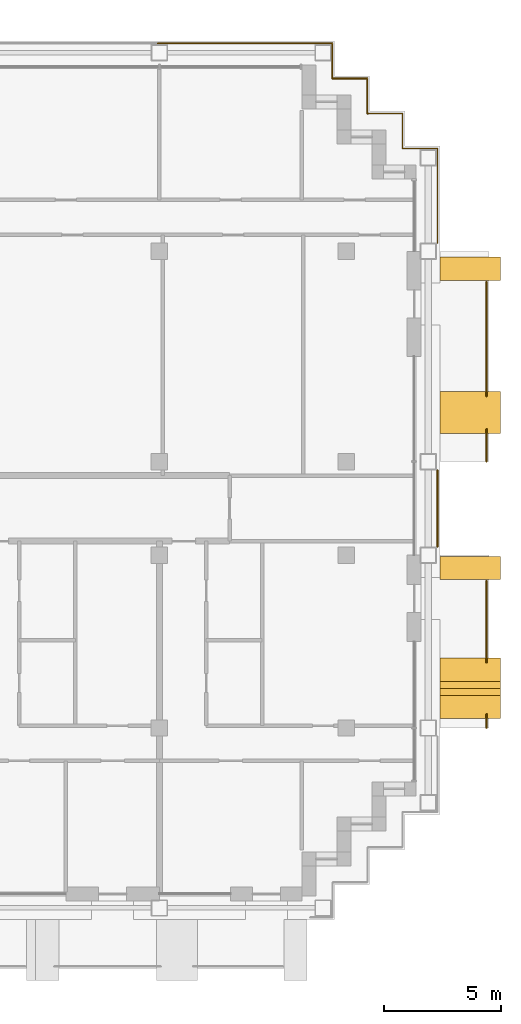
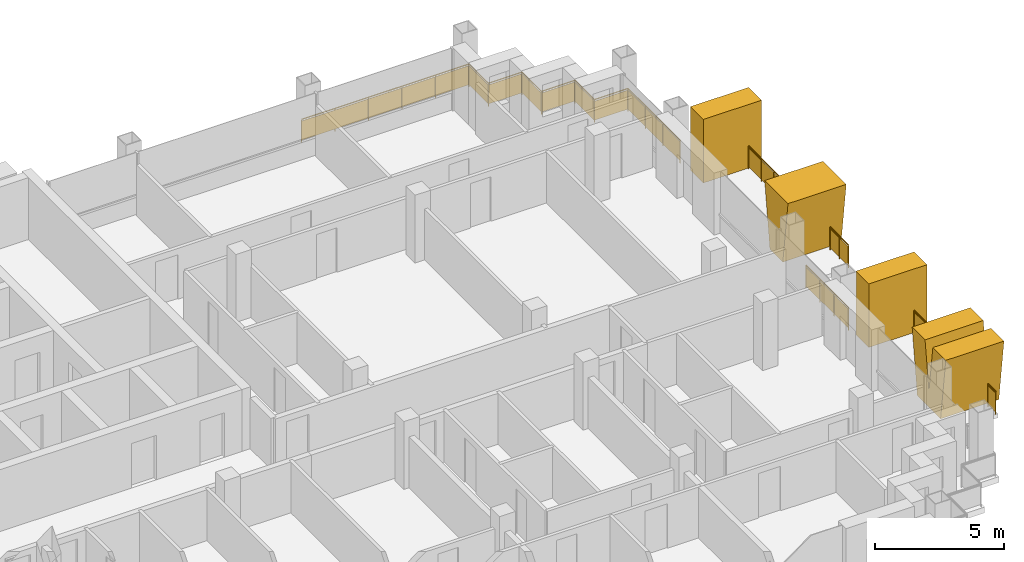
# One storey, part 16 of 16: 7 railings, 4 shading devices.
"""IFC4 building model written with IfcOpenShell, lengths in metres."""

from ifc_helpers import new_model, si_unit, direction, frame, origin, origin_2d, place, context, subcontext, project, spatial, polyline, rectangle, circle, outline, extrude, material, layer, layer_set, type_object, element, save


model = new_model("IFC4")

# Units and contexts
model_context = context("Model", 3, precision=1e-05, world=origin(), true_north=direction((0.0, 1.0)))
body_context = subcontext(model_context, "Body", "Model", "MODEL_VIEW")
ifc_project = project(units=[si_unit("LENGTHUNIT", "METRE"), si_unit("AREAUNIT", "SQUARE_METRE"), si_unit("VOLUMEUNIT", "CUBIC_METRE"), si_unit("PLANEANGLEUNIT", "RADIAN"), si_unit("MASSUNIT", "GRAM", prefix="KILO")], contexts=[model_context])

# Site, building, storey
site_placement = place(None, origin())
site = spatial("IfcSite", under=ifc_project, at=site_placement, CompositionType="ELEMENT")
building_placement = place(site_placement, origin())
building = spatial("IfcBuilding", under=site, at=building_placement, Name="Vidyagriha Tower", CompositionType="ELEMENT")
storey_placement = place(building_placement, frame((0.0, 0.0, 178.10009765625)))
storey = spatial("IfcBuildingStorey", under=building, at=storey_placement, Name="L46", CompositionType="ELEMENT", Elevation=178.10009765625)

# Railings
ifc_material_1 = material(Name="Steel ASTM A500 Grade C black painted", Category="steel")
railing_type_1 = type_object("IfcRailingType", Name="Balcony guard 1100", PredefinedType="BALUSTRADE", material=ifc_material_1)
railing_1_placement = place(storey_placement, frame((40.0, -9.39990234375, 0.0)))
element("IfcRailing", 1, at=railing_1_placement, inside=storey, type_object=railing_type_1, Name="Balcony guard L46 R30.1-1", PredefinedType="BALUSTRADE", context=body_context, shape_type="SweptSolid", body=[
    extrude(circle(Radius=0.02490234375, at=origin_2d()), frame((0.0, 0.0, 1.0751953125), z_axis=(0.0, 1.0, 0.0), x_axis=(-1.0, 0.0, 0.0)), (0.0, 0.0, 1.0), 0.5966796875),
    extrude(circle(Radius=0.02001953125, at=origin_2d()), origin(), (0.0, 0.0, 1.0), 1.050048828125),
    extrude(circle(Radius=0.02001953125, at=origin_2d()), frame((0.0, 0.5966796875, 0.0)), (0.0, 0.0, 1.0), 1.050048828125),
    extrude(rectangle(XDim=0.010009765625, YDim=0.900146484375, at=origin_2d()), frame((0.0, 0.0, 0.550048828125), z_axis=(0.0, 1.0, 0.0), x_axis=(-1.0, 0.0, 0.0)), (0.0, 0.0, 1.0), 0.5966796875),
])
railing_2_placement = place(storey_placement, frame((40.0, -6.5966796875, 0.0)))
element("IfcRailing", 2, at=railing_2_placement, inside=storey, type_object=railing_type_1, Name="Balcony guard L46 R30.1-2", PredefinedType="BALUSTRADE", context=body_context, shape_type="SweptSolid", body=[
    extrude(circle(Radius=0.02490234375, at=origin_2d()), frame((0.0, 0.0, 1.0751953125), z_axis=(0.0, 1.0, 0.0), x_axis=(-1.0, 0.0, 0.0)), (0.0, 0.0, 1.0), 3.49658203125),
    extrude(circle(Radius=0.02001953125, at=origin_2d()), origin(), (0.0, 0.0, 1.0), 1.050048828125),
    extrude(circle(Radius=0.02001953125, at=origin_2d()), frame((0.0, 1.16552734375, 0.0)), (0.0, 0.0, 1.0), 1.050048828125),
    extrude(circle(Radius=0.02001953125, at=origin_2d()), frame((0.0, 2.3310546875, 0.0)), (0.0, 0.0, 1.0), 1.050048828125),
    extrude(circle(Radius=0.02001953125, at=origin_2d()), frame((0.0, 3.49658203125, 0.0)), (0.0, 0.0, 1.0), 1.050048828125),
    extrude(rectangle(XDim=0.010009765625, YDim=0.900146484375, at=origin_2d()), frame((0.0, 0.0, 0.550048828125), z_axis=(0.0, 1.0, 0.0), x_axis=(-1.0, 0.0, 0.0)), (0.0, 0.0, 1.0), 3.49658203125),
])
railing_3_placement = place(storey_placement, frame((40.0, 2.0, 0.0)))
element("IfcRailing", 3, at=railing_3_placement, inside=storey, type_object=railing_type_1, Name="Balcony guard L46 R30.2-1", PredefinedType="BALUSTRADE", context=body_context, shape_type="SweptSolid", body=[
    extrude(circle(Radius=0.02490234375, at=origin_2d()), frame((0.0, 0.0, 1.0751953125), z_axis=(0.0, 1.0, 0.0), x_axis=(-1.0, 0.0, 0.0)), (0.0, 0.0, 1.0), 1.396728515625),
    extrude(circle(Radius=0.02001953125, at=origin_2d()), origin(), (0.0, 0.0, 1.0), 1.050048828125),
    extrude(circle(Radius=0.02001953125, at=origin_2d()), frame((0.0, 0.6982421875, 0.0)), (0.0, 0.0, 1.0), 1.050048828125),
    extrude(circle(Radius=0.02001953125, at=origin_2d()), frame((0.0, 1.396728515625, 0.0)), (0.0, 0.0, 1.0), 1.050048828125),
    extrude(rectangle(XDim=0.010009765625, YDim=0.900146484375, at=origin_2d()), frame((0.0, 0.0, 0.550048828125), z_axis=(0.0, 1.0, 0.0), x_axis=(-1.0, 0.0, 0.0)), (0.0, 0.0, 1.0), 1.396728515625),
])
railing_4_placement = place(storey_placement, frame((40.0, 4.80322265625, 0.0)))
element("IfcRailing", 4, at=railing_4_placement, inside=storey, type_object=railing_type_1, Name="Balcony guard L46 R30.2-2", PredefinedType="BALUSTRADE", context=body_context, shape_type="SweptSolid", body=[
    extrude(circle(Radius=0.02490234375, at=origin_2d()), frame((0.0, 0.0, 1.0751953125), z_axis=(0.0, 1.0, 0.0), x_axis=(-1.0, 0.0, 0.0)), (0.0, 0.0, 1.0), 4.896728515625),
    extrude(circle(Radius=0.02001953125, at=origin_2d()), origin(), (0.0, 0.0, 1.0), 1.050048828125),
    extrude(circle(Radius=0.02001953125, at=origin_2d()), frame((0.0, 0.979248046875, 0.0)), (0.0, 0.0, 1.0), 1.050048828125),
    extrude(circle(Radius=0.02001953125, at=origin_2d()), frame((0.0, 1.958740234375, 0.0)), (0.0, 0.0, 1.0), 1.050048828125),
    extrude(circle(Radius=0.02001953125, at=origin_2d()), frame((0.0, 2.93798828125, 0.0)), (0.0, 0.0, 1.0), 1.050048828125),
    extrude(circle(Radius=0.02001953125, at=origin_2d()), frame((0.0, 3.91748046875, 0.0)), (0.0, 0.0, 1.0), 1.050048828125),
    extrude(circle(Radius=0.02001953125, at=origin_2d()), frame((0.0, 4.896728515625, 0.0)), (0.0, 0.0, 1.0), 1.050048828125),
    extrude(rectangle(XDim=0.010009765625, YDim=0.900146484375, at=origin_2d()), frame((0.0, 0.0, 0.550048828125), z_axis=(0.0, 1.0, 0.0), x_axis=(-1.0, 0.0, 0.0)), (0.0, 0.0, 1.0), 4.896728515625),
])

# Shading devices
ifc_material_2 = material(Name="Precast concrete C40/50 with buff brick facing", Category="concrete")
ifc_layer_1 = layer(ifc_material_2, 1.0)
ifc_layer_set_1 = layer_set([ifc_layer_1], Name="Precast concrete C40/50 with buff brick facing")
shading_device_type_1 = type_object("IfcShadingDeviceType", Name="Brick-faced blade fin forking 8 degrees", PredefinedType="USERDEFINED", material=ifc_layer_set_1)
shading_device_1_placement = place(storey_placement, frame((39.300048828125, -9.0, 0.0), z_axis=(0.0, 0.0, 1.0), x_axis=(0.0, 1.0, 0.0)))
element("IfcShadingDevice", 5, at=shading_device_1_placement, inside=storey, type_object=shading_device_type_1, Name="Forked blade fin L46 R30.230a", ObjectType="BLADE FIN", PredefinedType="USERDEFINED", context=body_context, shape_type="SweptSolid", body=[
    extrude(outline(polyline([(0.39990234375, 0.0), (2.199951171875, 0.0), (2.60009765625, 3.0), (1.60009765625, 3.0), (1.300048828125, 0.75), (1.0, 3.0), (0.0, 3.0), (0.39990234375, 0.0)])), frame((0.0, 1.300048828125, 0.0), z_axis=(0.0, -1.0, 0.0), x_axis=(1.0, 0.0, 0.0)), (0.0, 0.0, 1.0), 2.60009765625),
])
shading_device_2_placement = place(storey_placement, frame((39.300048828125, 3.199951171875, 0.0), z_axis=(0.0, 0.0, 1.0), x_axis=(0.0, 1.0, 0.0)))
element("IfcShadingDevice", 6, at=shading_device_2_placement, inside=storey, type_object=shading_device_type_1, Name="Forked blade fin L46 R30.1370a", ObjectType="BLADE FIN", PredefinedType="USERDEFINED", context=body_context, shape_type="SweptSolid", body=[
    extrude(outline(polyline([(0.39990234375, 0.0), (1.39990234375, 0.0), (1.800048828125, 3.0), (0.0, 3.0), (0.39990234375, 0.0)])), frame((0.0, 1.300048828125, 0.0), z_axis=(0.0, -1.0, 0.0), x_axis=(1.0, 0.0, 0.0)), (0.0, 0.0, 1.0), 2.60009765625),
])
ifc_material_3 = material(Name="Precast concrete C40/50 with buff brick facing", Category="concrete")
ifc_layer_2 = layer(ifc_material_3, 1.0)
ifc_layer_set_2 = layer_set([ifc_layer_2], Name="Precast concrete C40/50 with buff brick facing")
shading_device_type_2 = type_object("IfcShadingDeviceType", Name="Brick-faced blade fin stem 1000", PredefinedType="USERDEFINED", material=ifc_layer_set_2)
for number, where, z_axis, x_axis, name in (
    (7, (39.300048828125, -3.050048828125, 0.0), (0.0, 0.0, 1.0), (0.0, 1.0, 0.0), "Stem blade fin L46 R30.970a"),
    (8, (39.300048828125, 9.75, 0.0), (0.0, 0.0, 1.0), (0.0, 1.0, 0.0), "Stem blade fin L46 R30.2270a"),
):
    element("IfcShadingDevice", number, at=place(storey_placement, frame(where, z_axis=z_axis, x_axis=x_axis)), inside=storey, type_object=shading_device_type_2, Name=name, ObjectType="BLADE FIN", PredefinedType="USERDEFINED", context=body_context, shape_type="SweptSolid", body=[
        extrude(outline(polyline([(0.0, 0.0), (1.0, 0.0), (1.0, 3.0), (0.0, 3.0), (0.0, 0.0)])), frame((0.0, 1.300048828125, 0.0), z_axis=(0.0, -1.0, 0.0), x_axis=(1.0, 0.0, 0.0)), (0.0, 0.0, 1.0), 2.60009765625),
    ])

# Railings
ifc_material_4 = material(Name="Steel ASTM A500 Grade C black painted", Category="steel")
railing_type_2 = type_object("IfcRailingType", Name="Gallery guard 1100", PredefinedType="GUARDRAIL", material=ifc_material_4)
railing_5_placement = place(storey_placement, frame((25.929931640625, 19.89990234375, 0.0)))
element("IfcRailing", 9, at=railing_5_placement, inside=storey, type_object=railing_type_2, Name="Gallery guard L46 7", PredefinedType="GUARDRAIL", context=body_context, shape_type="SweptSolid", body=[
    extrude(circle(Radius=0.02490234375, at=origin_2d()), frame((0.0, 0.0, 1.0751953125), z_axis=(1.0, 0.0, 0.0), x_axis=(0.0, 1.0, 0.0)), (0.0, 0.0, 1.0), 7.469970703125),
    extrude(circle(Radius=0.02490234375, at=origin_2d()), frame((7.469970703125, 0.0, 1.0751953125), z_axis=(0.0, -1.0, 0.0), x_axis=(1.0, 0.0, 0.0)), (0.0, 0.0, 1.0), 1.5),
    extrude(circle(Radius=0.02490234375, at=origin_2d()), frame((7.469970703125, -1.5, 1.0751953125), z_axis=(1.0, 0.0, 0.0), x_axis=(0.0, 1.0, 0.0)), (0.0, 0.0, 1.0), 1.5),
    extrude(circle(Radius=0.02490234375, at=origin_2d()), frame((8.969970703125, -1.5, 1.0751953125), z_axis=(0.0, -1.0, 0.0), x_axis=(1.0, 0.0, 0.0)), (0.0, 0.0, 1.0), 1.5),
    extrude(circle(Radius=0.02490234375, at=origin_2d()), frame((8.969970703125, -3.0, 1.0751953125), z_axis=(1.0, 0.0, 0.0), x_axis=(0.0, 1.0, 0.0)), (0.0, 0.0, 1.0), 0.030029296875),
    extrude(circle(Radius=0.02001953125, at=origin_2d()), origin(), (0.0, 0.0, 1.0), 1.050048828125),
    extrude(circle(Radius=0.02001953125, at=origin_2d()), frame((1.493896484375, 0.0, 0.0)), (0.0, 0.0, 1.0), 1.050048828125),
    extrude(circle(Radius=0.02001953125, at=origin_2d()), frame((2.988037109375, 0.0, 0.0)), (0.0, 0.0, 1.0), 1.050048828125),
    extrude(circle(Radius=0.02001953125, at=origin_2d()), frame((4.48193359375, 0.0, 0.0)), (0.0, 0.0, 1.0), 1.050048828125),
    extrude(circle(Radius=0.02001953125, at=origin_2d()), frame((5.97607421875, 0.0, 0.0)), (0.0, 0.0, 1.0), 1.050048828125),
    extrude(circle(Radius=0.02001953125, at=origin_2d()), frame((7.469970703125, 0.0, 0.0)), (0.0, 0.0, 1.0), 1.050048828125),
    extrude(circle(Radius=0.02001953125, at=origin_2d()), frame((7.469970703125, -1.5, 0.0)), (0.0, 0.0, 1.0), 1.050048828125),
    extrude(circle(Radius=0.02001953125, at=origin_2d()), frame((8.969970703125, -1.5, 0.0)), (0.0, 0.0, 1.0), 1.050048828125),
    extrude(circle(Radius=0.02001953125, at=origin_2d()), frame((8.969970703125, -3.0, 0.0)), (0.0, 0.0, 1.0), 1.050048828125),
    extrude(circle(Radius=0.02001953125, at=origin_2d()), frame((9.0, -3.0, 0.0)), (0.0, 0.0, 1.0), 1.050048828125),
    extrude(rectangle(XDim=0.010009765625, YDim=0.900146484375, at=origin_2d()), frame((0.0, 0.0, 0.550048828125), z_axis=(1.0, 0.0, 0.0), x_axis=(0.0, 1.0, 0.0)), (0.0, 0.0, 1.0), 7.469970703125),
    extrude(rectangle(XDim=0.010009765625, YDim=0.900146484375, at=origin_2d()), frame((7.469970703125, 0.0, 0.550048828125), z_axis=(0.0, -1.0, 0.0), x_axis=(1.0, 0.0, 0.0)), (0.0, 0.0, 1.0), 1.5),
    extrude(rectangle(XDim=0.010009765625, YDim=0.900146484375, at=origin_2d()), frame((7.469970703125, -1.5, 0.550048828125), z_axis=(1.0, 0.0, 0.0), x_axis=(0.0, 1.0, 0.0)), (0.0, 0.0, 1.0), 1.5),
    extrude(rectangle(XDim=0.010009765625, YDim=0.900146484375, at=origin_2d()), frame((8.969970703125, -1.5, 0.550048828125), z_axis=(0.0, -1.0, 0.0), x_axis=(1.0, 0.0, 0.0)), (0.0, 0.0, 1.0), 1.5),
    extrude(rectangle(XDim=0.010009765625, YDim=0.900146484375, at=origin_2d()), frame((8.969970703125, -3.0, 0.550048828125), z_axis=(1.0, 0.0, 0.0), x_axis=(0.0, 1.0, 0.0)), (0.0, 0.0, 1.0), 0.030029296875),
])
railing_6_placement = place(storey_placement, frame((34.929931640625, 16.89990234375, 0.0)))
element("IfcRailing", 10, at=railing_6_placement, inside=storey, type_object=railing_type_2, Name="Gallery guard L46 8", PredefinedType="GUARDRAIL", context=body_context, shape_type="SweptSolid", body=[
    extrude(circle(Radius=0.02490234375, at=origin_2d()), frame((0.0, 0.0, 1.0751953125), z_axis=(1.0, 0.0, 0.0), x_axis=(0.0, 1.0, 0.0)), (0.0, 0.0, 1.0), 1.469970703125),
    extrude(circle(Radius=0.02490234375, at=origin_2d()), frame((1.469970703125, 0.0, 1.0751953125), z_axis=(0.0, -1.0, 0.0), x_axis=(1.0, 0.0, 0.0)), (0.0, 0.0, 1.0), 1.5),
    extrude(circle(Radius=0.02490234375, at=origin_2d()), frame((1.469970703125, -1.5, 1.0751953125), z_axis=(1.0, 0.0, 0.0), x_axis=(0.0, 1.0, 0.0)), (0.0, 0.0, 1.0), 1.5),
    extrude(circle(Radius=0.02490234375, at=origin_2d()), frame((2.969970703125, -1.5, 1.0751953125), z_axis=(0.0, -1.0, 0.0), x_axis=(1.0, 0.0, 0.0)), (0.0, 0.0, 1.0), 4.039794921875),
    extrude(circle(Radius=0.02001953125, at=origin_2d()), origin(), (0.0, 0.0, 1.0), 1.050048828125),
    extrude(circle(Radius=0.02001953125, at=origin_2d()), frame((1.469970703125, 0.0, 0.0)), (0.0, 0.0, 1.0), 1.050048828125),
    extrude(circle(Radius=0.02001953125, at=origin_2d()), frame((1.469970703125, -1.5, 0.0)), (0.0, 0.0, 1.0), 1.050048828125),
    extrude(circle(Radius=0.02001953125, at=origin_2d()), frame((2.969970703125, -1.5, 0.0)), (0.0, 0.0, 1.0), 1.050048828125),
    extrude(circle(Radius=0.02001953125, at=origin_2d()), frame((2.969970703125, -2.8466796875, 0.0)), (0.0, 0.0, 1.0), 1.050048828125),
    extrude(circle(Radius=0.02001953125, at=origin_2d()), frame((2.969970703125, -4.193115234375, 0.0)), (0.0, 0.0, 1.0), 1.050048828125),
    extrude(circle(Radius=0.02001953125, at=origin_2d()), frame((2.969970703125, -5.539794921875, 0.0)), (0.0, 0.0, 1.0), 1.050048828125),
    extrude(rectangle(XDim=0.010009765625, YDim=0.900146484375, at=origin_2d()), frame((0.0, 0.0, 0.550048828125), z_axis=(1.0, 0.0, 0.0), x_axis=(0.0, 1.0, 0.0)), (0.0, 0.0, 1.0), 1.469970703125),
    extrude(rectangle(XDim=0.010009765625, YDim=0.900146484375, at=origin_2d()), frame((1.469970703125, 0.0, 0.550048828125), z_axis=(0.0, -1.0, 0.0), x_axis=(1.0, 0.0, 0.0)), (0.0, 0.0, 1.0), 1.5),
    extrude(rectangle(XDim=0.010009765625, YDim=0.900146484375, at=origin_2d()), frame((1.469970703125, -1.5, 0.550048828125), z_axis=(1.0, 0.0, 0.0), x_axis=(0.0, 1.0, 0.0)), (0.0, 0.0, 1.0), 1.5),
    extrude(rectangle(XDim=0.010009765625, YDim=0.900146484375, at=origin_2d()), frame((2.969970703125, -1.5, 0.550048828125), z_axis=(0.0, -1.0, 0.0), x_axis=(1.0, 0.0, 0.0)), (0.0, 0.0, 1.0), 4.039794921875),
])
railing_7_placement = place(storey_placement, frame((37.89990234375, 1.639892578125, 0.0)))
element("IfcRailing", 11, at=railing_7_placement, inside=storey, type_object=railing_type_2, Name="Gallery guard L46 11", PredefinedType="GUARDRAIL", context=body_context, shape_type="SweptSolid", body=[
    extrude(circle(Radius=0.02490234375, at=origin_2d()), frame((0.0, 0.0, 1.0751953125), z_axis=(0.0, -1.0, 0.0), x_axis=(1.0, 0.0, 0.0)), (0.0, 0.0, 1.0), 3.27978515625),
    extrude(circle(Radius=0.02001953125, at=origin_2d()), origin(), (0.0, 0.0, 1.0), 1.050048828125),
    extrude(circle(Radius=0.02001953125, at=origin_2d()), frame((0.0, -1.09326171875, 0.0)), (0.0, 0.0, 1.0), 1.050048828125),
    extrude(circle(Radius=0.02001953125, at=origin_2d()), frame((0.0, -2.1865234375, 0.0)), (0.0, 0.0, 1.0), 1.050048828125),
    extrude(circle(Radius=0.02001953125, at=origin_2d()), frame((0.0, -3.27978515625, 0.0)), (0.0, 0.0, 1.0), 1.050048828125),
    extrude(rectangle(XDim=0.010009765625, YDim=0.900146484375, at=origin_2d()), frame((0.0, 0.0, 0.550048828125), z_axis=(0.0, -1.0, 0.0), x_axis=(1.0, 0.0, 0.0)), (0.0, 0.0, 1.0), 3.27978515625),
])

save(model, "model.ifc")
